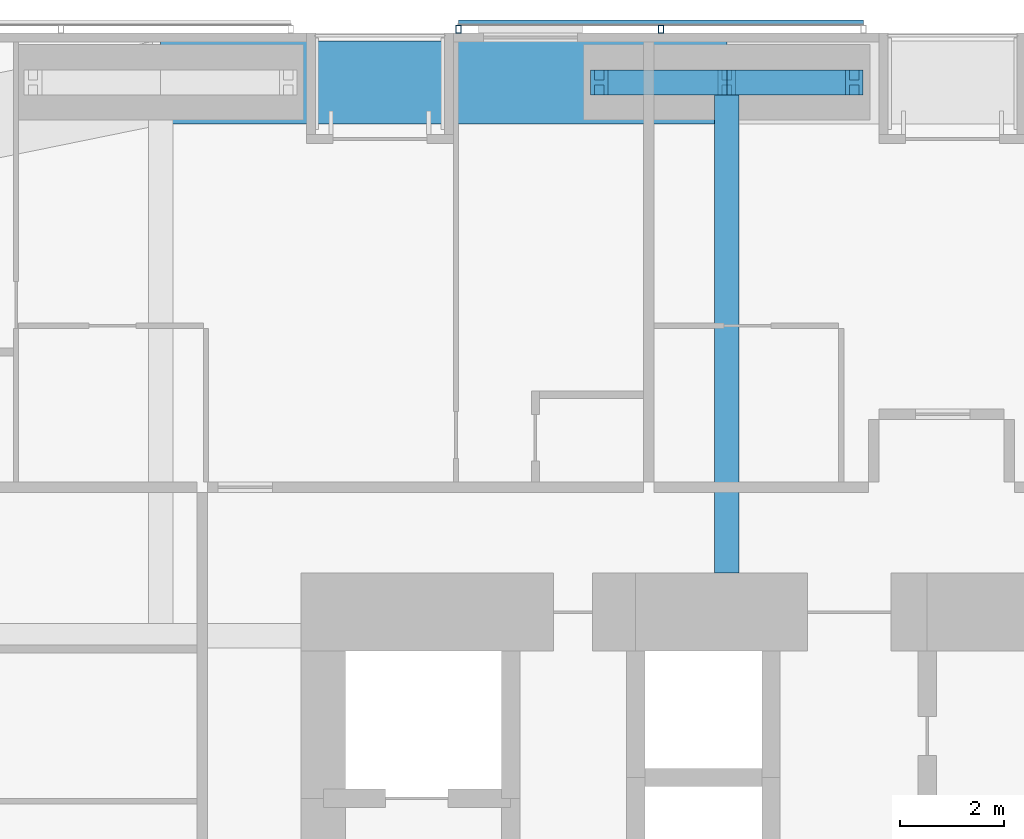
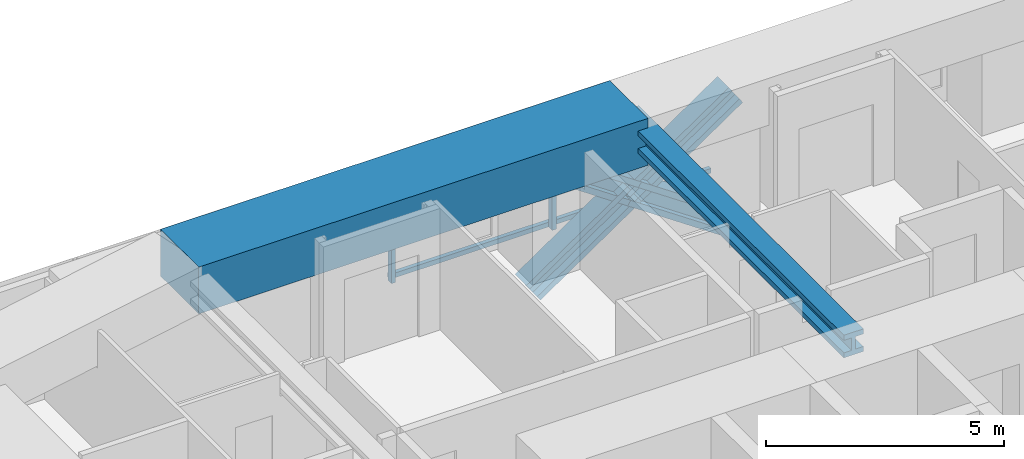
# One storey, part 12 of 23: 7 members, 2 beams, 1 element without a shape of its own.
"""IFC4 building model written with IfcOpenShell, lengths in metres."""

from ifc_helpers import new_model, si_unit, direction, frame, origin, origin_2d, place, context, subcontext, project, spatial, rectangle, hollow_rectangle, i_section, extrude, material, material_profile, profile_set, type_object, element, aggregate, save


model = new_model("IFC4")

# Units and contexts
model_context = context("Model", 3, precision=1e-05, world=origin(), true_north=direction((0.0, 1.0)))
body_context = subcontext(model_context, "Body", "Model", "MODEL_VIEW")
ifc_project = project(units=[si_unit("LENGTHUNIT", "METRE"), si_unit("AREAUNIT", "SQUARE_METRE"), si_unit("VOLUMEUNIT", "CUBIC_METRE"), si_unit("PLANEANGLEUNIT", "RADIAN"), si_unit("MASSUNIT", "GRAM", prefix="KILO")], contexts=[model_context])

# Site, building, storey
site_placement = place(None, origin())
site = spatial("IfcSite", under=ifc_project, at=site_placement, CompositionType="ELEMENT")
building_placement = place(site_placement, origin())
building = spatial("IfcBuilding", under=site, at=building_placement, Name="Jalousie Tower", CompositionType="ELEMENT")
storey_placement = place(building_placement, frame((0.0, 0.0, 88.10009765625)))
storey = spatial("IfcBuildingStorey", under=building, at=storey_placement, Name="L23", CompositionType="ELEMENT", Elevation=88.10009765625)

# Beam
ifc_material_1 = material(Name="Steel ASTM A992 Grade 50", Category="steel")
ifc_material_profile_1 = material_profile(ifc_material_1, i_section(OverallWidth=0.472412109375, OverallDepth=0.5791015625, WebThickness=0.094970703125, FlangeThickness=0.1298828125, at=origin_2d()), Name="W14X808")
ifc_profile_set_1 = profile_set([ifc_material_profile_1], Name="Steel ASTM A992 Grade 50")
beam_type_1 = type_object("IfcBeamType", Name="LEAN COLLECTOR W14X808", PredefinedType="BEAM", material=ifc_profile_set_1)
beam_1_placement = place(storey_placement, frame((27.75, 37.050048828125, 2.8203125), z_axis=(0.0, -1.0, 0.0), x_axis=(1.0, 0.0, 0.0)))
element("IfcBeam", 1, at=beam_1_placement, inside=storey, type_object=beam_type_1, Name="Lean collector under L24", PredefinedType="BEAM", context=body_context, shape_type="SweptSolid", body=[
    extrude(i_section(OverallWidth=0.472412109375, OverallDepth=0.5791015625, WebThickness=0.094970703125, FlangeThickness=0.1298828125, at=origin_2d()), origin(), (0.0, 0.0, 1.0), 9.425048828125),
])

# Members
ifc_material_2 = material(Name="Steel ASTM A992 Grade 50", Category="steel")
ifc_material_profile_2 = material_profile(ifc_material_2, i_section(OverallWidth=0.4775390625, OverallDepth=0.599365234375, WebThickness=0.10009765625, FlangeThickness=0.139892578125, at=origin_2d()), Name="W14X873")
ifc_profile_set_2 = profile_set([ifc_material_profile_2], Name="Steel ASTM A992 Grade 50")
member_type_1 = type_object("IfcMemberType", Name="PERIMETER BRACE W14X873", PredefinedType="BRACE", material=ifc_profile_set_2)
for number, where, z_axis, x_axis, name in (
    (2, (25.300048828125, 37.050048828125, -0.60009765625), (0.825500916831, 0.0, 0.564400776321), (0.0, 1.0, 0.0), "Perimeter brace 10 L23 part 1"),
    (3, (27.75, 37.050048828125, 1.074951171875), (0.825500916831, 0.0, 0.564400776321), (0.0, 1.0, 0.0), "Perimeter brace 10 L23 part 2"),
    (4, (30.199951171875, 37.050048828125, -0.60009765625), (-0.825500916831, 0.0, 0.564400776321), (0.0, -1.0, 0.0), "Perimeter brace 10 L23 part 3"),
    (5, (27.75, 37.050048828125, 1.074951171875), (-0.825500916831, 0.0, 0.564400776321), (0.0, -1.0, 0.0), "Perimeter brace 10 L23 part 4"),
):
    element("IfcMember", number, at=place(storey_placement, frame(where, z_axis=z_axis, x_axis=x_axis)), inside=storey, type_object=member_type_1, Name=name, PredefinedType="BRACE", context=body_context, shape_type="SweptSolid", body=[
        extrude(i_section(OverallWidth=0.4775390625, OverallDepth=0.599365234375, WebThickness=0.10009765625, FlangeThickness=0.139892578125, at=origin_2d()), origin(), (0.0, 0.0, 1.0), 2.9677734375),
    ])

# Beam
ifc_material_3 = material(Name="Concrete f'c 40 MPa", Category="concrete")
ifc_material_profile_3 = material_profile(ifc_material_3, rectangle(XDim=1.60009765625, YDim=1.199951171875, at=origin_2d()), Name="RC 1600x1200")
ifc_profile_set_3 = profile_set([ifc_material_profile_3], Name="Concrete f'c 40 MPa")
beam_type_2 = type_object("IfcBeamType", Name="RC BEAM 1600x1200", PredefinedType="BEAM", material=ifc_profile_set_3)
beam_2_placement = place(storey_placement, frame((27.75, 37.050048828125, 2.75), z_axis=(-1.0, 0.0, 0.0), x_axis=(0.0, -1.0, 0.0)))
element("IfcBeam", 6, at=beam_2_placement, inside=storey, type_object=beam_type_2, Name="Edge band beam 10-11 under L24", PredefinedType="BEAM", context=body_context, shape_type="SweptSolid", body=[
    extrude(rectangle(XDim=1.60009765625, YDim=1.199951171875, at=origin_2d()), origin(), (0.0, 0.0, 1.0), 10.875),
])

# Curtain wall, members
ifc_material_4 = material(Name="Perforated aluminium sheet", Category="aluminium")
curtain_wall_type = type_object("IfcCurtainWallType", Name="SOLAR SCREEN SS-1", PredefinedType="USERDEFINED", material=ifc_material_4)
curtain_wall_placement = place(storey_placement, origin())
curtain_wall = element("IfcCurtainWall", 7, at=curtain_wall_placement, inside=storey, type_object=curtain_wall_type, Name="Solar screen L23", ObjectType="SOLAR SCREEN SS-1", PredefinedType="USERDEFINED")
ifc_material_5 = material(Name="Steel ASTM A500 Grade C", Category="steel")
ifc_material_profile_4 = material_profile(ifc_material_5, hollow_rectangle(XDim=0.1015625, YDim=0.15234375, WallThickness=0.00634765625, at=origin_2d()), Name="HSS6X4X1/4")
ifc_profile_set_4 = profile_set([ifc_material_profile_4], Name="Steel ASTM A500 Grade C")
member_type_2 = type_object("IfcMemberType", Name="SOLAR SCREEN SS-1 MULLION", PredefinedType="MULLION", material=ifc_profile_set_4)
member_1_placement = place(storey_placement, frame((26.487548828125, 38.0712890625, -0.1201171875), z_axis=(0.0, 0.0, 1.0), x_axis=(-1.0, 0.0, 0.0)))
member_1 = element("IfcMember", 8, at=member_1_placement, type_object=member_type_2, Name="SS1 post 2", PredefinedType="MULLION", context=body_context, shape_type="SweptSolid", body=[
    extrude(hollow_rectangle(XDim=0.1015625, YDim=0.15234375, WallThickness=0.00634765625, at=origin_2d()), origin(), (0.0, 0.0, 1.0), 3.22998046875),
])
member_2_placement = place(storey_placement, frame((22.60009765625, 38.0712890625, -0.1201171875), z_axis=(0.0, 0.0, 1.0), x_axis=(-1.0, 0.0, 0.0)))
member_2 = element("IfcMember", 9, at=member_2_placement, type_object=member_type_2, Name="SS1 post 3", PredefinedType="MULLION", context=body_context, shape_type="SweptSolid", body=[
    extrude(hollow_rectangle(XDim=0.1015625, YDim=0.15234375, WallThickness=0.00634765625, at=origin_2d()), origin(), (0.0, 0.0, 1.0), 3.22998046875),
])
ifc_material_6 = material(Name="Extruded aluminium screen rail", Category="aluminium")
ifc_material_profile_5 = material_profile(ifc_material_6, rectangle(XDim=0.1015625, YDim=0.1201171875, at=origin_2d()), Name="RAIL 102x120")
ifc_profile_set_5 = profile_set([ifc_material_profile_5], Name="Extruded aluminium screen rail")
member_type_3 = type_object("IfcMemberType", Name="SOLAR SCREEN SS-1 TRANSOM", PredefinedType="USERDEFINED", material=ifc_profile_set_5)
member_3_placement = place(storey_placement, frame((30.375, 38.1982421875, -0.06005859375), z_axis=(-1.0, 0.0, 0.0), x_axis=(0.0, -1.0, 0.0)))
member_3 = element("IfcMember", 10, at=member_3_placement, type_object=member_type_3, Name="SS1 rail", ObjectType="TRANSOM", PredefinedType="USERDEFINED", context=body_context, shape_type="SweptSolid", body=[
    extrude(rectangle(XDim=0.1015625, YDim=0.1201171875, at=origin_2d()), origin(), (0.0, 0.0, 1.0), 7.77490234375),
])
aggregate(curtain_wall, [member_1, member_2, member_3])

save(model, "model.ifc")
